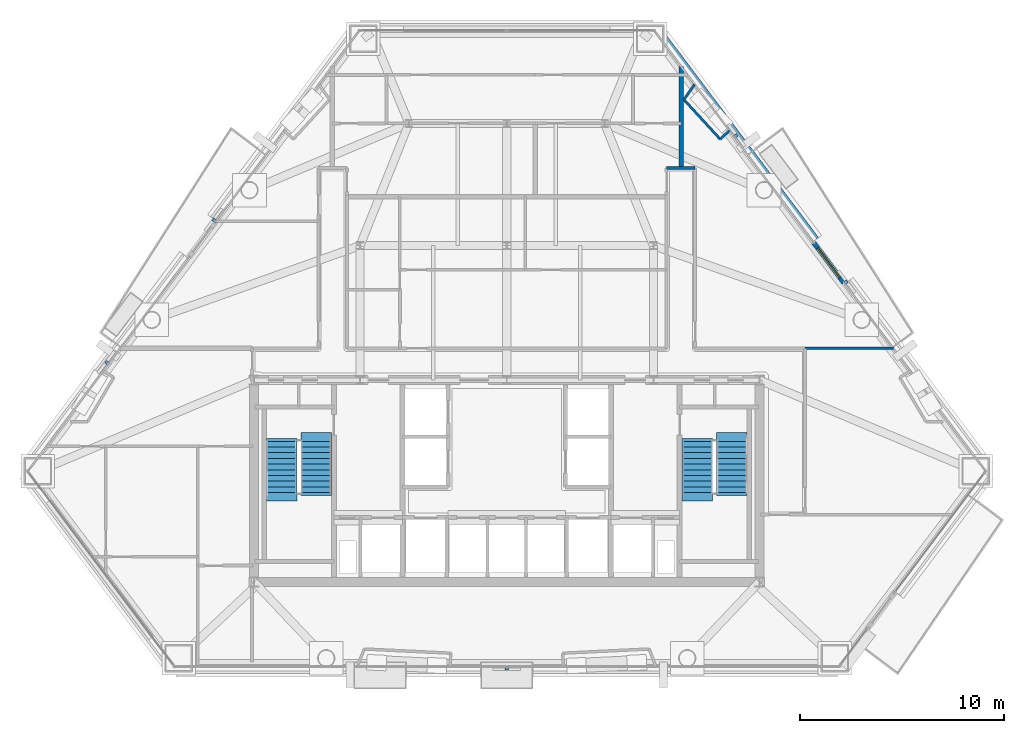
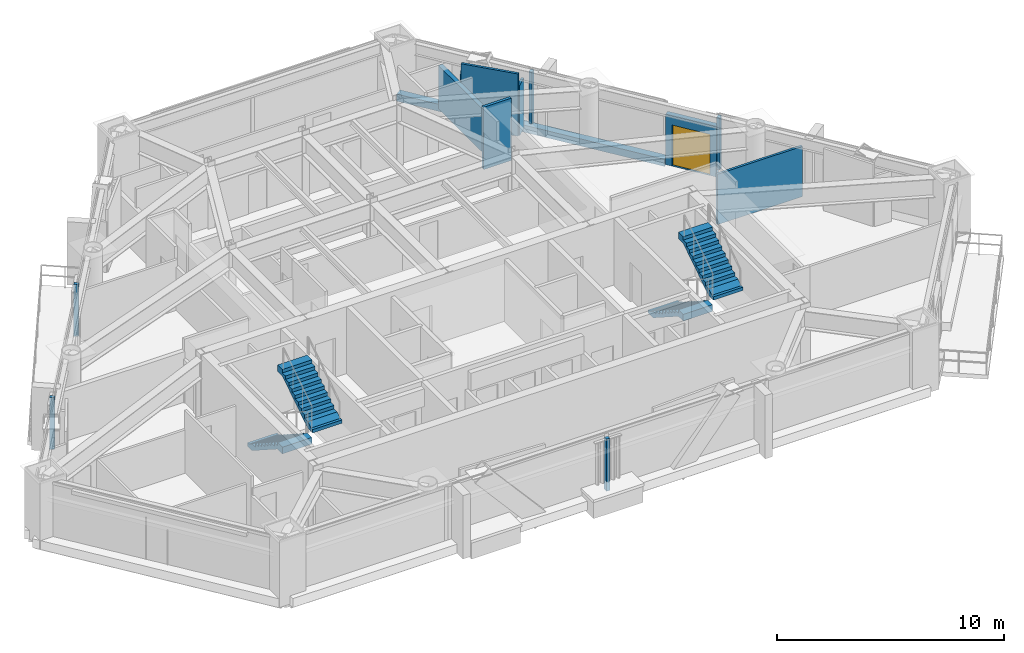
# One storey, part 9 of 11: 8 walls, 5 discrete accessories, 4 stair flights, 1 door, 1 opening, 2 elements without a shape of their own.
"""IFC4 building model written with IfcOpenShell, lengths in metres."""

from ifc_helpers import new_model, si_unit, direction, frame, frame_2d, origin, origin_2d, place, context, subcontext, project, spatial, polyline, rectangle, outline, extrude, source, transform, mapped, material, layer, layer_set, type_object, type_shapes, element, fill, aggregate, save


model = new_model("IFC4")

# Units and contexts
model_context = context("Model", 3, precision=1e-05, world=origin(), true_north=direction((0.0, 1.0)))
body_context = subcontext(model_context, "Body", "Model", "MODEL_VIEW")
ifc_project = project(units=[si_unit("LENGTHUNIT", "METRE"), si_unit("AREAUNIT", "SQUARE_METRE"), si_unit("VOLUMEUNIT", "CUBIC_METRE"), si_unit("PLANEANGLEUNIT", "RADIAN"), si_unit("MASSUNIT", "GRAM", prefix="KILO")], contexts=[model_context])

# Site, building, storey
site_placement = place(None, origin())
site = spatial("IfcSite", under=ifc_project, at=site_placement, CompositionType="ELEMENT")
building_placement = place(site_placement, origin())
building = spatial("IfcBuilding", under=site, at=building_placement, Name="Talgorran Terracotta Tower", CompositionType="ELEMENT")
storey_placement = place(building_placement, frame((0.0, 0.0, 79.199951171875)))
storey = spatial("IfcBuildingStorey", under=building, at=storey_placement, Name="L20", CompositionType="ELEMENT", Elevation=79.199951171875)

# Wall, opening, door
ifc_material_1 = material(Name="Concrete C40/50", Category="concrete")
ifc_layer_1 = layer(ifc_material_1, 0.239990234375, Name="WT_BALCONY_SPAND")
ifc_layer_set_1 = layer_set([ifc_layer_1], Name="Concrete C40/50")
wall_type_1 = type_object("IfcWallType", Name="WT_BALCONY_SPAND", PredefinedType="STANDARD", material=ifc_layer_set_1)
wall_1_placement = place(storey_placement, frame((16.54150390625, 0.5830078125, -0.014892578125), z_axis=(0.0, 0.0, 1.0), x_axis=(-0.601247991813, 0.799062483377, 0.0)))
wall_1 = element("IfcWall", 1, at=wall_1_placement, inside=storey, type_object=wall_type_1, Name="WL-L20-BALP-BAL-NE", PredefinedType="STANDARD", context=body_context, shape_type="SweptSolid", body=[
    extrude(rectangle(XDim=2.43994140625, YDim=0.239990234375, at=frame_2d((1.219970703125, 0.0))), origin(), (0.0, 0.0, 1.0), 2.728271484375),
])
opening_placement = place(wall_1_placement, frame((0.320068359375, 0.0, 0.014892578125)))
opening = element("IfcOpeningElement", 2, at=opening_placement, cuts=wall_1, Name="Opening D-BAL-L20-1", PredefinedType="OPENING", context=body_context, shape_type="SweptSolid", body=[
    extrude(rectangle(XDim=1.806048828125, YDim=2.203951171875, at=frame_2d((0.89990234375, 1.10205078125))), frame((0.0, 0.1298828125, 0.0), z_axis=(0.0, -1.0, 0.0), x_axis=(1.0, 0.0, 0.0)), (0.0, 0.0, 1.0), 0.260009765625),
])
ifc_material_2 = material(Name="Thermally Broken Aluminium", Category="aluminium")
door_type = type_object("IfcDoorType", Name="DT_BALC_1800", OperationType="SLIDING_TO_LEFT", PredefinedType="DOOR", material=ifc_material_2)
door_placement = place(opening_placement, origin())
door = element("IfcDoor", 3, at=door_placement, inside=storey, type_object=door_type, Name="DR-L20-BAL-BAL-NE", OperationType="SLIDING_TO_LEFT", OverallHeight=2.199951171875, OverallWidth=1.800048828125, PredefinedType="DOOR", context=body_context, shape_type="SweptSolid", body=[
    extrude(rectangle(XDim=1.800048828125, YDim=2.199951171875, at=frame_2d((0.89990234375, 1.10009765625))), frame((0.0, 0.02490234375, 0.0), z_axis=(0.0, -1.0, 0.0), x_axis=(1.0, 0.0, 0.0)), (0.0, 0.0, 1.0), 0.050048828125),
])
fill(opening, door)

# Walls
ifc_material_3 = material(Name="Fire-Rated Steel Stud Plasterboard", Category="steel")
ifc_layer_2 = layer(ifc_material_3, 0.14990234375, Name="WT_FIRE_150")
ifc_layer_set_2 = layer_set([ifc_layer_2], Name="Fire-Rated Steel Stud Plasterboard")
wall_type_2 = type_object("IfcWallType", Name="WT_FIRE_150", PredefinedType="PARTITIONING", material=ifc_layer_set_2)
wall_2_placement = place(storey_placement, frame((7.840087890625, 6.199951171875, 0.0), z_axis=(0.0, 0.0, 1.0), x_axis=(1.0, 0.0, 0.0)))
element("IfcWall", 4, at=wall_2_placement, inside=storey, type_object=wall_type_2, Name="WL-L20-W-L20-R18", PredefinedType="PARTITIONING", context=body_context, shape_type="SweptSolid", body=[
    extrude(rectangle(XDim=1.39990234375, YDim=0.14990234375, at=frame_2d((0.699951171875, 0.0))), origin(), (0.0, 0.0, 1.0), 3.35009765625),
])
ifc_layer_3 = layer(ifc_material_1, 0.219970703125, Name="WT_PARAPET_RC")
ifc_layer_set_3 = layer_set([ifc_layer_3], Name="Concrete C40/50")
wall_type_3 = type_object("IfcWallType", Name="WT_PARAPET_RC", PredefinedType="PARAPET", material=ifc_layer_set_3)
wall_3_placement = place(storey_placement, frame((15.148193359375, 2.70068359375, -0.199951171875), z_axis=(0.0, 0.0, 1.0), x_axis=(-0.601235358398, 0.79907198913, 0.0)))
element("IfcWall", 5, at=wall_3_placement, inside=storey, type_object=wall_type_3, Name="L20 Striped Portal Precast Cornice F41", PredefinedType="PARAPET", context=body_context, shape_type="SweptSolid", body=[
    extrude(rectangle(XDim=12.830322265625, YDim=0.360107421875, at=frame_2d((6.4150390625, 0.0))), origin(), (0.0, 0.0, 1.0), 0.3798828125),
])
ifc_material_4 = material(Name="Acoustic Masonry and Plasterboard", Category="masonry")
ifc_layer_4 = layer(ifc_material_4, 0.219970703125, Name="WT_PARTY_220")
ifc_layer_set_4 = layer_set([ifc_layer_4], Name="Acoustic Masonry and Plasterboard")
wall_type_4 = type_object("IfcWallType", Name="WT_PARTY_220", PredefinedType="PARTITIONING", material=ifc_layer_set_4)
wall_4_placement = place(storey_placement, frame((8.56005859375, 6.199951171875, 0.0), z_axis=(0.0, 0.0, 1.0), x_axis=(0.0, 1.0, 0.0)))
element("IfcWall", 6, at=wall_4_placement, inside=storey, type_object=wall_type_4, Name="WL-L20-W-L20-R62", PredefinedType="PARTITIONING", context=body_context, shape_type="SweptSolid", body=[
    extrude(rectangle(XDim=4.99072265625, YDim=0.219970703125, at=frame_2d((2.495361328125, 0.0))), origin(), (0.0, 0.0, 1.0), 2.324951171875),
])
ifc_material_5 = material(Name="Insulated Steel Stud Plasterboard", Category="steel")
ifc_layer_5 = layer(ifc_material_5, 0.1201171875, Name="WT_PART_120")
ifc_layer_set_5 = layer_set([ifc_layer_5], Name="Insulated Steel Stud Plasterboard")
wall_type_5 = type_object("IfcWallType", Name="WT_PART_120", PredefinedType="PARTITIONING", material=ifc_layer_set_5)
wall_5_placement = place(storey_placement, frame((14.639892578125, -2.639892578125, 0.0), z_axis=(0.0, 0.0, 1.0), x_axis=(1.0, 0.0, 0.0)))
element("IfcWall", 7, at=wall_5_placement, inside=storey, type_object=wall_type_5, Name="WL-L20-W-L20-R34", PredefinedType="PARTITIONING", context=body_context, shape_type="SweptSolid", body=[
    extrude(rectangle(XDim=4.32666015625, YDim=0.1201171875, at=frame_2d((2.163330078125, 0.0))), origin(), (0.0, 0.0, 1.0), 2.71337890625),
])
wall_6_placement = place(storey_placement, frame((10.471923828125, 7.626708984375, 0.0), z_axis=(0.0, 0.0, 1.0), x_axis=(-0.675779241876, 0.737104074232, 0.0)))
element("IfcWall", 8, at=wall_6_placement, inside=storey, type_object=wall_type_5, Name="WL-L20-BW-L20-19", PredefinedType="PARTITIONING", context=body_context, shape_type="SweptSolid", body=[
    extrude(rectangle(XDim=2.631591796875, YDim=0.1201171875, at=frame_2d((1.31591796875, 0.0))), origin(), (0.0, 0.0, 1.0), 3.35009765625),
])
wall_7_placement = place(storey_placement, frame((8.693603515625, 9.56640625, 0.0), z_axis=(0.0, 0.0, 1.0), x_axis=(0.574241580185, 0.818685902888, 0.0)))
element("IfcWall", 9, at=wall_7_placement, inside=storey, type_object=wall_type_5, Name="WL-L20-BW-L20-20", PredefinedType="PARTITIONING", context=body_context, shape_type="SweptSolid", body=[
    extrude(rectangle(XDim=0.90380859375, YDim=0.1201171875, at=frame_2d((0.451904296875, 0.0))), origin(), (0.0, 0.0, 1.0), 2.71337890625),
])
wall_8_placement = place(storey_placement, frame((10.920166015625, 8.03759765625, 0.0), z_axis=(0.0, 0.0, 1.0), x_axis=(-0.737154140201, -0.675724628517, 0.0)))
element("IfcWall", 10, at=wall_8_placement, inside=storey, type_object=wall_type_5, Name="WL-L20-BW-L20-18", PredefinedType="PARTITIONING", context=body_context, shape_type="SweptSolid", body=[
    extrude(rectangle(XDim=0.608154296875, YDim=0.1201171875, at=frame_2d((0.30419921875, 0.0))), origin(), (0.0, 0.0, 1.0), 2.71337890625),
])

# Stair, stair flights
stair_type = type_object("IfcStairType", Name="ST_FIRE_SCISSOR", PredefinedType="HALF_TURN_STAIR", material=ifc_material_1)
stair_1_placement = place(storey_placement, origin())
stair_1 = element("IfcStair", 11, at=stair_1_placement, inside=storey, type_object=stair_type, Name="L20 West Protected Fire Stair ST-01", PredefinedType="HALF_TURN_STAIR")
ifc_layer_6 = layer(ifc_material_1, 0.179931640625, Name="STF_RC_1500")
ifc_layer_set_6 = layer_set([ifc_layer_6], Name="Concrete C40/50")
stair_flight_type = type_object("IfcStairFlightType", Name="STF_RC_1500", PredefinedType="STRAIGHT", material=ifc_layer_set_6)
stair_flight_1_placement = place(storey_placement, frame((-11.050048828125, -7.199951171875, 0.0), z_axis=(0.0, 0.0, 1.0), x_axis=(0.0, -1.0, 0.0)))
stair_flight_1 = element("IfcStairFlight", 12, at=stair_flight_1_placement, type_object=stair_flight_type, Name="ST-01 flight 1", NumberOfRisers=10, NumberOfTreads=9, PredefinedType="STRAIGHT", RiserHeight=0.18, TreadLength=0.28, context=body_context, shape_type="SweptSolid", body=[
    extrude(outline(polyline([(-0.139892578125, 0.0), (-0.139892578125, 0.179931640625), (0.0, 0.179931640625), (0.280029296875, 0.360107421875), (0.56005859375, 0.360107421875), (0.56005859375, 0.5400390625), (0.840087890625, 0.5400390625), (0.840087890625, 0.719970703125), (1.1201171875, 0.719970703125), (1.1201171875, 0.89990234375), (1.39990234375, 0.89990234375), (1.39990234375, 1.080078125), (1.679931640625, 1.080078125), (1.679931640625, 1.260009765625), (1.9599609375, 1.260009765625), (1.9599609375, 1.43994140625), (2.239990234375, 1.43994140625), (2.239990234375, 1.6201171875), (2.52001953125, 1.6201171875), (2.52001953125, 1.800048828125), (2.93994140625, 1.800048828125), (2.93994140625, 1.44189453125), (2.52001953125, 1.44189453125), (0.277099609375, 0.0), (-0.139892578125, 0.0)])), frame((0.0, 0.75, 0.0), z_axis=(0.0, -1.0, 0.0), x_axis=(1.0, 0.0, 0.0)), (0.0, 0.0, 1.0), 1.5),
])
stair_flight_2_placement = place(storey_placement, frame((-9.35009765625, -9.719970703125, 1.800048828125), z_axis=(0.0, 0.0, 1.0), x_axis=(0.0, 1.0, 0.0)))
stair_flight_2 = element("IfcStairFlight", 13, at=stair_flight_2_placement, type_object=stair_flight_type, Name="ST-01 flight 2", NumberOfRisers=10, NumberOfTreads=9, PredefinedType="STRAIGHT", RiserHeight=0.18, TreadLength=0.28, context=body_context, shape_type="SweptSolid", body=[
    extrude(outline(polyline([(-0.139892578125, 0.0), (-0.139892578125, 0.179931640625), (0.0, 0.179931640625), (0.280029296875, 0.360107421875), (0.56005859375, 0.360107421875), (0.56005859375, 0.5400390625), (0.840087890625, 0.5400390625), (0.840087890625, 0.719970703125), (1.1201171875, 0.719970703125), (1.1201171875, 0.89990234375), (1.39990234375, 0.89990234375), (1.39990234375, 1.080078125), (1.679931640625, 1.080078125), (1.679931640625, 1.260009765625), (1.9599609375, 1.260009765625), (1.9599609375, 1.43994140625), (2.239990234375, 1.43994140625), (2.239990234375, 1.6201171875), (2.52001953125, 1.6201171875), (2.52001953125, 1.800048828125), (2.93994140625, 1.800048828125), (2.93994140625, 1.44189453125), (2.52001953125, 1.44189453125), (0.277099609375, 0.0), (-0.139892578125, 0.0)])), frame((0.0, 0.75, 0.0), z_axis=(0.0, -1.0, 0.0), x_axis=(1.0, 0.0, 0.0)), (0.0, 0.0, 1.0), 1.5),
])
aggregate(stair_1, [stair_flight_1, stair_flight_2])

stair_2_placement = place(storey_placement, origin())
stair_2 = element("IfcStair", 14, at=stair_2_placement, inside=storey, type_object=stair_type, Name="L20 East Protected Fire Stair ST-02", PredefinedType="HALF_TURN_STAIR")
stair_flight_3_placement = place(storey_placement, frame((9.35009765625, -7.199951171875, 0.0), z_axis=(0.0, 0.0, 1.0), x_axis=(0.0, -1.0, 0.0)))
stair_flight_3 = element("IfcStairFlight", 15, at=stair_flight_3_placement, type_object=stair_flight_type, Name="ST-02 flight 1", NumberOfRisers=10, NumberOfTreads=9, PredefinedType="STRAIGHT", RiserHeight=0.18, TreadLength=0.28, context=body_context, shape_type="SweptSolid", body=[
    extrude(outline(polyline([(-0.139892578125, 0.0), (-0.139892578125, 0.179931640625), (0.0, 0.179931640625), (0.280029296875, 0.360107421875), (0.56005859375, 0.360107421875), (0.56005859375, 0.5400390625), (0.840087890625, 0.5400390625), (0.840087890625, 0.719970703125), (1.1201171875, 0.719970703125), (1.1201171875, 0.89990234375), (1.39990234375, 0.89990234375), (1.39990234375, 1.080078125), (1.679931640625, 1.080078125), (1.679931640625, 1.260009765625), (1.9599609375, 1.260009765625), (1.9599609375, 1.43994140625), (2.239990234375, 1.43994140625), (2.239990234375, 1.6201171875), (2.52001953125, 1.6201171875), (2.52001953125, 1.800048828125), (2.93994140625, 1.800048828125), (2.93994140625, 1.44189453125), (2.52001953125, 1.44189453125), (0.277099609375, 0.0), (-0.139892578125, 0.0)])), frame((0.0, 0.75, 0.0), z_axis=(0.0, -1.0, 0.0), x_axis=(1.0, 0.0, 0.0)), (0.0, 0.0, 1.0), 1.5),
])
stair_flight_4_placement = place(storey_placement, frame((11.050048828125, -9.719970703125, 1.800048828125), z_axis=(0.0, 0.0, 1.0), x_axis=(0.0, 1.0, 0.0)))
stair_flight_4 = element("IfcStairFlight", 16, at=stair_flight_4_placement, type_object=stair_flight_type, Name="ST-02 flight 2", NumberOfRisers=10, NumberOfTreads=9, PredefinedType="STRAIGHT", RiserHeight=0.18, TreadLength=0.28, context=body_context, shape_type="SweptSolid", body=[
    extrude(outline(polyline([(-0.139892578125, 0.0), (-0.139892578125, 0.179931640625), (0.0, 0.179931640625), (0.280029296875, 0.360107421875), (0.56005859375, 0.360107421875), (0.56005859375, 0.5400390625), (0.840087890625, 0.5400390625), (0.840087890625, 0.719970703125), (1.1201171875, 0.719970703125), (1.1201171875, 0.89990234375), (1.39990234375, 0.89990234375), (1.39990234375, 1.080078125), (1.679931640625, 1.080078125), (1.679931640625, 1.260009765625), (1.9599609375, 1.260009765625), (1.9599609375, 1.43994140625), (2.239990234375, 1.43994140625), (2.239990234375, 1.6201171875), (2.52001953125, 1.6201171875), (2.52001953125, 1.800048828125), (2.93994140625, 1.800048828125), (2.93994140625, 1.44189453125), (2.52001953125, 1.44189453125), (0.277099609375, 0.0), (-0.139892578125, 0.0)])), frame((0.0, 0.75, 0.0), z_axis=(0.0, -1.0, 0.0), x_axis=(1.0, 0.0, 0.0)), (0.0, 0.0, 1.0), 1.5),
])
aggregate(stair_2, [stair_flight_3, stair_flight_4])

# Discrete accessories
ifc_material_6 = material(Name="Stainless Steel Grade 316", Category="steel")
ifc_layer_7 = layer(ifc_material_6, 0.080078125, Name="ACC_BAGUETTE_BRKT")
ifc_layer_set_7 = layer_set([ifc_layer_7], Name="Stainless Steel Grade 316")
discrete_accessory_type = type_object("IfcDiscreteAccessoryType", Name="ACC_BAGUETTE_BRKT", PredefinedType="BRACKET", material=ifc_layer_set_7)
shared_shape = source(origin(), body_context, "Body", "SweptSolid", [
    extrude(rectangle(XDim=0.159912109375, YDim=0.219970703125, at=origin_2d()), origin(), (0.0, 0.0, 1.0), 2.800048828125),
])
type_shapes(discrete_accessory_type, [shared_shape])
for number, where, z_axis, x_axis, name in (
    (17, (0.0, -18.316650390625, 0.35009765625), (0.0, 0.0, 1.0), (1.0, 0.0, 0.0), "BRK-L20-F1"),
    (18, (16.622802734375, 0.591064453125, 0.35009765625), (0.0, 0.0, 1.0), (-0.601243377531, 0.799065955334, 0.0), "BRK-L20-F40"),
    (19, (11.21923828125, 7.772705078125, 0.35009765625), (0.0, 0.0, 1.0), (-0.601243377531, 0.799065955334, 0.0), "BRK-L20-F41"),
    (20, (-14.33447265625, 3.6328125, 0.35009765625), (0.0, 0.0, 1.0), (-0.601243377531, -0.799065955334, 0.0), "BRK-L20-F60"),
    (21, (-19.59521484375, -3.35888671875, 0.35009765625), (0.0, 0.0, 1.0), (-0.601243377531, -0.799065955334, 0.0), "BRK-L20-F61"),
):
    element("IfcDiscreteAccessory", number, at=place(storey_placement, frame(where, z_axis=z_axis, x_axis=x_axis)), inside=storey, type_object=discrete_accessory_type, Name=name, PredefinedType="BRACKET", context=body_context, shape_type="MappedRepresentation", body=[
        mapped(shared_shape, transform((0.0, 0.0, 0.0), scale=1.0)),
    ])

save(model, "model.ifc")
